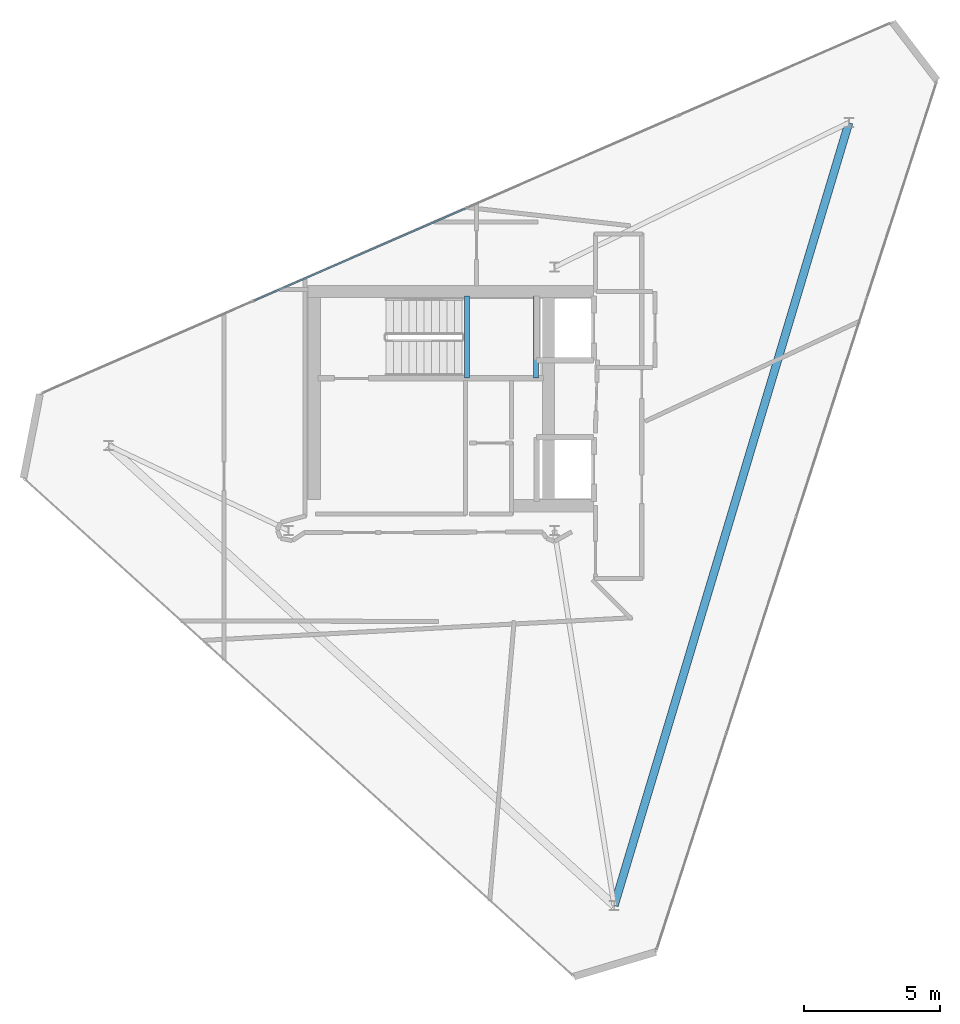
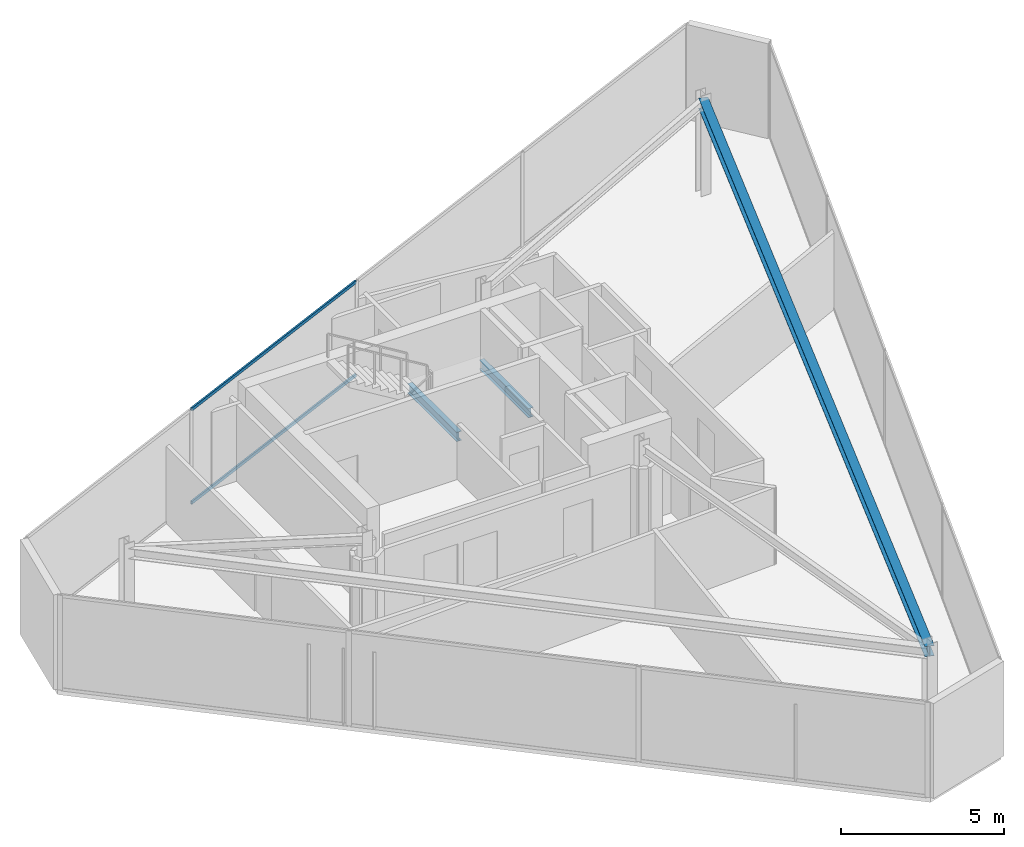
# One storey, part 8 of 15: 3 beams, 2 members, 1 element without a shape of its own.
"""IFC4 building model written with IfcOpenShell, lengths in metres."""

import ifcopenshell
import ifcopenshell.guid

model = None  # the IFC model being written
_history = None  # IfcOwnerHistory: only IFC2X3 demands one
_inside = {}  # id of a spatial element -> (the spatial element, [elements in it])
_under = {}  # id of a project, library or spatial element -> (it, [spatial elements below it])
_declared = {}  # id of a project -> (the project, [libraries it declares])
_typed = {}  # id of a type object -> (the type object, [elements of that type])
_made_of = {}  # id of a material, layer set ... -> (it, [elements and type objects made of it])


def new_model(schema):
    """Start an empty IFC model of exactly this schema.

    Asked for "IFC4X3", IfcOpenShell would pick the latest addendum, in which some entities
    have other attributes; the version numbers below select the first issue.
    IFC2X3 requires an IfcOwnerHistory on every rooted entity: one is made here for all.
    """
    global model, _history
    if schema == "IFC4X3":
        model = ifcopenshell.file(schema_version=(4, 3, 0, 0))
    else:
        model = ifcopenshell.file(schema=schema)
    _inside.clear()
    _under.clear()
    _declared.clear()
    _typed.clear()
    _made_of.clear()
    _history = None
    if model.schema == "IFC2X3":
        org = make("IfcOrganization", Name="unknown")
        user = make(
            "IfcPersonAndOrganization",
            ThePerson=make("IfcPerson", FamilyName="unknown"),
            TheOrganization=org,
        )
        app = make(
            "IfcApplication",
            ApplicationDeveloper=org,
            Version="unknown",
            ApplicationFullName="unknown",
            ApplicationIdentifier="unknown",
        )
        _history = make(
            "IfcOwnerHistory",
            OwningUser=user,
            OwningApplication=app,
            ChangeAction="ADDED",
            CreationDate=0,
        )
    return model


def make(cls, **values):
    """One entity of the class cls with the attributes given. An attribute that is None is left unset."""
    return model.create_entity(
        cls, **{name: value for name, value in values.items() if value is not None}
    )


def rooted(cls, **values):
    """An entity with a GlobalId (a new one), such as an element, a storey or a relation."""
    return make(cls, GlobalId=ifcopenshell.guid.new(), OwnerHistory=_history, **values)


def si_unit(unit_type, name, prefix=None):
    """IfcSIUnit, for example si_unit("LENGTHUNIT", "METRE", prefix="MILLI")."""
    return make("IfcSIUnit", UnitType=unit_type, Prefix=prefix, Name=name)


def assignment(units):
    """IfcUnitAssignment: the units of a project."""
    return None if units is None else make("IfcUnitAssignment", Units=units)


def point(xyz):
    """IfcCartesianPoint."""
    return None if xyz is None else make("IfcCartesianPoint", Coordinates=xyz)


def direction(xyz):
    """IfcDirection."""
    return None if xyz is None else make("IfcDirection", DirectionRatios=xyz)


def frame(location, z_axis=None, x_axis=None):
    """IfcAxis2Placement3D, a coordinate frame: its origin and axes. An axis left out is left unset."""
    return make(
        "IfcAxis2Placement3D",
        Location=point(location),
        Axis=direction(z_axis),
        RefDirection=direction(x_axis),
    )


def frame_2d(location, x_axis=None):
    """IfcAxis2Placement2D, a coordinate frame in the plane: its origin and x axis."""
    return make(
        "IfcAxis2Placement2D", Location=point(location), RefDirection=direction(x_axis)
    )


def origin():
    """The frame at (0, 0, 0) with its axes left unset."""
    return frame((0.0, 0.0, 0.0))


def origin_2d():
    """The frame at (0, 0) in the plane with its x axis left unset."""
    return frame_2d((0.0, 0.0))


def place(relative_to, where):
    """IfcLocalPlacement: puts the frame where relative to a parent placement (None: the world)."""
    return make(
        "IfcLocalPlacement", PlacementRelTo=relative_to, RelativePlacement=where
    )


def context(
    kind, dimensions, precision=None, world=None, true_north=None, identifier=None
):
    """IfcGeometricRepresentationContext, for example the 3D "Model" context."""
    return make(
        "IfcGeometricRepresentationContext",
        ContextIdentifier=identifier,
        ContextType=kind,
        CoordinateSpaceDimension=dimensions,
        Precision=precision,
        WorldCoordinateSystem=world,
        TrueNorth=true_north,
    )


def subcontext(parent, identifier, kind, view, scale=None):
    """IfcGeometricRepresentationSubContext, for example "Body" below "Model"."""
    return make(
        "IfcGeometricRepresentationSubContext",
        ContextIdentifier=identifier,
        ContextType=kind,
        ParentContext=parent,
        TargetScale=scale,
        TargetView=view,
    )


def project(units=None, contexts=None):
    """IfcProject with its units and contexts."""
    return rooted(
        "IfcProject",
        Name="project",
        RepresentationContexts=contexts,
        UnitsInContext=assignment(units),
    )


def spatial(cls, under=None, at=None, **own):
    """A site, building, storey or space (cls), placed at a placement, below another one or the project."""
    s = rooted(cls, ObjectPlacement=at, **own)
    if under is not None:
        _under.setdefault(under.id(), (under, []))[1].append(s)
    return s


def profile(cls, at=None, kind="AREA", **sizes):
    """A parametric profile (cls). Its sizes go by their IFC names, for example OverallWidth=200.0."""
    return make(cls, ProfileType=kind, Position=at, **sizes)


def hollow_rectangle(**sizes):
    """IfcRectangleHollowProfileDef."""
    return profile("IfcRectangleHollowProfileDef", **sizes)


def i_section(**sizes):
    """IfcIShapeProfileDef."""
    return profile("IfcIShapeProfileDef", **sizes)


def extrude(swept, where, along, depth):
    """IfcExtrudedAreaSolid: the profile swept, set in the frame where, extruded along a direction by depth."""
    return make(
        "IfcExtrudedAreaSolid",
        SweptArea=swept,
        Position=where,
        ExtrudedDirection=direction(along),
        Depth=depth,
    )


def shape(context_of_items, identifier, shape_type, items):
    """IfcShapeRepresentation: the items that make up one representation, for example the "Body"."""
    return make(
        "IfcShapeRepresentation",
        ContextOfItems=context_of_items,
        RepresentationIdentifier=identifier,
        RepresentationType=shape_type,
        Items=items,
    )


def material(Name=None, Category=None):
    """IfcMaterial."""
    return make("IfcMaterial", Name=Name, Category=Category)


def layer(
    of_material, thickness, ventilated=None, Name=None, Category=None, Priority=None
):
    """IfcMaterialLayer: one layer of a wall or slab, of a material (None: an air gap)."""
    return make(
        "IfcMaterialLayer",
        Material=of_material,
        LayerThickness=thickness,
        IsVentilated=ventilated,
        Name=Name,
        Category=Category,
        Priority=Priority,
    )


def layer_set(layers, Name=None):
    """IfcMaterialLayerSet."""
    return make("IfcMaterialLayerSet", MaterialLayers=layers, LayerSetName=Name)


def material_profile(
    of_material, cross_section, Name=None, Category=None, Priority=None
):
    """IfcMaterialProfile: a cross section and its material."""
    return make(
        "IfcMaterialProfile",
        Name=Name,
        Material=of_material,
        Profile=cross_section,
        Priority=Priority,
        Category=Category,
    )


def profile_set(profiles, Name=None, composite=None):
    """IfcMaterialProfileSet."""
    return make(
        "IfcMaterialProfileSet",
        Name=Name,
        MaterialProfiles=profiles,
        CompositeProfile=composite,
    )


def made_of(thing, what):
    """Note that an element or type object is made of a material, layer set ...; save() writes the relation."""
    if what is not None:
        _made_of.setdefault(what.id(), (what, []))[1].append(thing)
    return thing


def type_object(cls, material=None, **own):
    """A type object (cls), such as IfcWallType, which elements share."""
    return made_of(rooted(cls, **own), material)


def element(
    cls,
    number,
    at=None,
    inside=None,
    cuts=None,
    type_object=None,
    material=None,
    context=None,
    identifier="Body",
    shape_type=None,
    held_by="IfcProductDefinitionShape",
    body=None,
    shapes=None,
    **own,
):
    """One element of the class cls, such as IfcWall. Its Tag is "e" and its number.

    at: its placement. inside: the storey or other place that contains it. cuts: it is an
    opening in that element (IfcRelVoidsElement). A single representation is given by context,
    identifier, shape_type and body (its items); several are given by shapes. held_by: the class
    of the entity that holds the representations. save() writes the other relations.
    """
    e = rooted(cls, Tag="e%d" % number, ObjectPlacement=at, **own)
    if body is not None:
        shapes = [shape(context, identifier, shape_type, body)]
    if shapes is not None:
        e.Representation = make(held_by, Representations=shapes)
    if inside is not None:
        _inside.setdefault(inside.id(), (inside, []))[1].append(e)
    if cuts is not None:
        rooted(
            "IfcRelVoidsElement", RelatingBuildingElement=cuts, RelatedOpeningElement=e
        )
    if type_object is not None:
        _typed.setdefault(type_object.id(), (type_object, []))[1].append(e)
    return made_of(e, material)


def aggregate(whole, parts):
    """IfcRelAggregates: a whole, such as a stair, and the parts it consists of."""
    return rooted("IfcRelAggregates", RelatingObject=whole, RelatedObjects=parts)


def save(model, path):
    """Write the relations noted so far, then the file.

    IfcRelAggregates (storeys below a building ...), IfcRelContainedInSpatialStructure (elements
    in a storey), IfcRelDefinesByType, IfcRelAssociatesMaterial and IfcRelDeclares: one each for
    every whole, place, type object, material and project.
    """
    for whole, parts in _under.values():
        aggregate(whole, parts)
    for where, things in _inside.values():
        rooted(
            "IfcRelContainedInSpatialStructure",
            RelatedElements=things,
            RelatingStructure=where,
        )
    for kind, things in _typed.values():
        rooted("IfcRelDefinesByType", RelatedObjects=things, RelatingType=kind)
    for what, things in _made_of.values():
        rooted("IfcRelAssociatesMaterial", RelatedObjects=things, RelatingMaterial=what)
    for by, libraries in _declared.values():
        rooted("IfcRelDeclares", RelatingContext=by, RelatedDefinitions=libraries)
    model.write(path)


model = new_model("IFC4")

# Units and contexts
model_context = context("Model", 3, precision=1e-05, world=origin(), true_north=direction((0.0, 1.0)))
body_context = subcontext(model_context, "Body", "Model", "MODEL_VIEW")
ifc_project = project(units=[si_unit("LENGTHUNIT", "METRE"), si_unit("AREAUNIT", "SQUARE_METRE"), si_unit("VOLUMEUNIT", "CUBIC_METRE"), si_unit("PLANEANGLEUNIT", "RADIAN"), si_unit("MASSUNIT", "GRAM", prefix="KILO")], contexts=[model_context])

# Site, building, storey
site_placement = place(None, origin())
site = spatial("IfcSite", under=ifc_project, at=site_placement, CompositionType="ELEMENT")
building_placement = place(site_placement, origin())
building = spatial("IfcBuilding", under=site, at=building_placement, Name="Qianvela Tower", CompositionType="ELEMENT")
storey_placement = place(building_placement, frame((0.0, 0.0, 360.050048828125)))
storey = spatial("IfcBuildingStorey", under=building, at=storey_placement, Name="L93", CompositionType="ELEMENT", Elevation=360.050048828125)

# Beams
ifc_material_1 = material(Name="Steel Q355B", Category="steel")
ifc_material_profile_1 = material_profile(ifc_material_1, i_section(OverallWidth=0.300048828125, OverallDepth=0.389892578125, WebThickness=0.010009765625, FlangeThickness=0.01611328125, at=origin_2d()), Name="HM390x300x10x16")
ifc_profile_set_1 = profile_set([ifc_material_profile_1], Name="Steel Q355B")
beam_type_1 = type_object("IfcBeamType", Name="BM-HM390-COLL", PredefinedType="BEAM", material=ifc_profile_set_1)
beam_placement = place(storey_placement, frame((49.248046875, 38.866943359375, 3.35302734375), z_axis=(-0.287106838651, -0.957898566237, 0.0), x_axis=(0.957898566237, -0.287106838651, 0.0)))
element("IfcBeam", 1, at=beam_placement, inside=storey, type_object=beam_type_1, Name="L93 Crown Perimeter Frame Girder 1", PredefinedType="BEAM", context=body_context, shape_type="SweptSolid", body=[
    extrude(i_section(OverallWidth=0.300048828125, OverallDepth=0.389892578125, WebThickness=0.010009765625, FlangeThickness=0.01611328125, at=origin_2d()), origin(), (0.0, 0.0, 1.0), 30.107421875),
])
ifc_material_2 = material(Name="Steel Q355B", Category="steel")
ifc_material_profile_2 = material_profile(ifc_material_2, i_section(OverallWidth=0.175048828125, OverallDepth=0.35009765625, WebThickness=0.007080078125, FlangeThickness=0.010986328125, at=origin_2d()), Name="HN350x175x7x11")
ifc_profile_set_2 = profile_set([ifc_material_profile_2], Name="Steel Q355B")
beam_type_2 = type_object("IfcBeamType", Name="BM-HN350-JOIST", PredefinedType="JOIST", material=ifc_profile_set_2)
for number, where, z_axis, x_axis, name in (
    (2, (35.179931640625, 29.4599609375, 1.5), (0.0, 1.0, 0.0), (-1.0, 0.0, 0.0), "L93 Stair ST-1 Landing Support Beam 1.1"),
    (3, (37.719970703125, 29.4599609375, 1.5), (0.0, 1.0, 0.0), (-1.0, 0.0, 0.0), "L93 Stair ST-1 Landing Support Beam 1.2"),
):
    element("IfcBeam", number, at=place(storey_placement, frame(where, z_axis=z_axis, x_axis=x_axis)), inside=storey, type_object=beam_type_2, Name=name, PredefinedType="JOIST", context=body_context, shape_type="SweptSolid", body=[
        extrude(i_section(OverallWidth=0.175048828125, OverallDepth=0.35009765625, WebThickness=0.007080078125, FlangeThickness=0.010986328125, at=origin_2d()), origin(), (0.0, 0.0, 1.0), 3.02001953125),
    ])

# Curtain wall, members
ifc_material_3 = material(Name="Anodised Architectural Aluminium and Low-E Glass", Category="aluminium")
ifc_layer = layer(ifc_material_3, 0.159912109375)
ifc_layer_set = layer_set([ifc_layer], Name="Anodised Architectural Aluminium and Low-E Glass")
curtain_wall_type = type_object("IfcCurtainWallType", Name="CW-CROWN", PredefinedType="USERDEFINED", material=ifc_layer_set)
curtain_wall_placement = place(storey_placement, origin())
curtain_wall = element("IfcCurtainWall", 4, at=curtain_wall_placement, inside=storey, type_object=curtain_wall_type, Name="L93 CW-CROWN Curtain Wall 02", ObjectType="CURTAIN_WALL_SYSTEM", PredefinedType="USERDEFINED")
ifc_material_4 = material(Name="Anodised Architectural Aluminium 6063-T6", Category="aluminium")
ifc_material_profile_3 = material_profile(ifc_material_4, hollow_rectangle(XDim=0.06005859375, YDim=0.114990234375, WallThickness=0.00390625, at=origin_2d()), Name="ALU-TRAN-60x115")
ifc_profile_set_3 = profile_set([ifc_material_profile_3], Name="Anodised Architectural Aluminium 6063-T6")
member_type = type_object("IfcMemberType", Name="CW-CROWN-TRAN", PredefinedType="USERDEFINED", material=ifc_profile_set_3)
member_1_placement = place(storey_placement, frame((35.120361328125, 35.706298828125, 0.030029296875), z_axis=(-0.916545519879, -0.399930381428, 0.0), x_axis=(0.399930381428, -0.916545519879, 0.0)))
member_1 = element("IfcMember", 5, at=member_1_placement, type_object=member_type, Name="CW-8 transom 3.1", ObjectType="TRANSOM", PredefinedType="USERDEFINED", context=body_context, shape_type="SweptSolid", body=[
    extrude(hollow_rectangle(XDim=0.06005859375, YDim=0.114990234375, WallThickness=0.00390625, at=origin_2d()), origin(), (0.0, 0.0, 1.0), 8.47802734375),
])
member_2_placement = place(storey_placement, frame((35.120361328125, 35.706298828125, 3.52001953125), z_axis=(-0.916545519879, -0.399930381428, 0.0), x_axis=(0.399930381428, -0.916545519879, 0.0)))
member_2 = element("IfcMember", 6, at=member_2_placement, type_object=member_type, Name="CW-8 transom 3.2", ObjectType="TRANSOM", PredefinedType="USERDEFINED", context=body_context, shape_type="SweptSolid", body=[
    extrude(hollow_rectangle(XDim=0.06005859375, YDim=0.114990234375, WallThickness=0.00390625, at=origin_2d()), origin(), (0.0, 0.0, 1.0), 8.47802734375),
])
aggregate(curtain_wall, [member_1, member_2])

save(model, "model.ifc")
